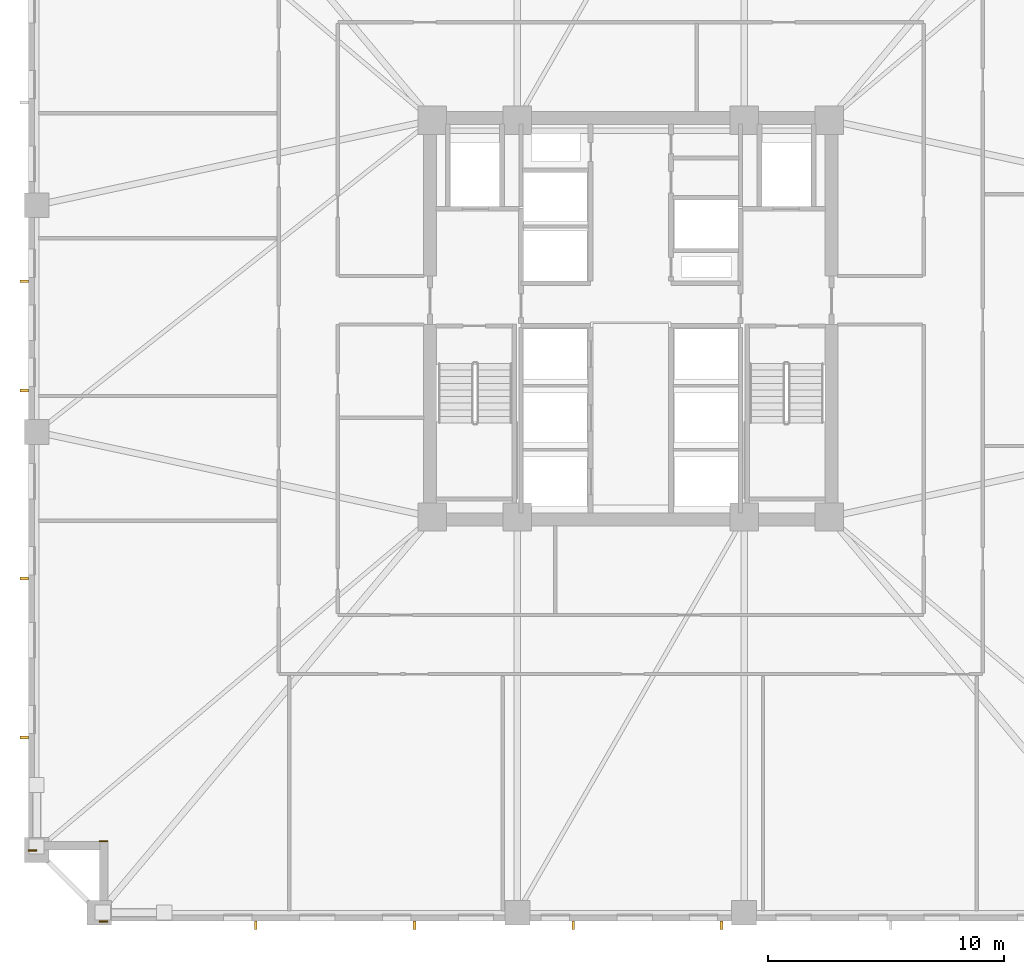
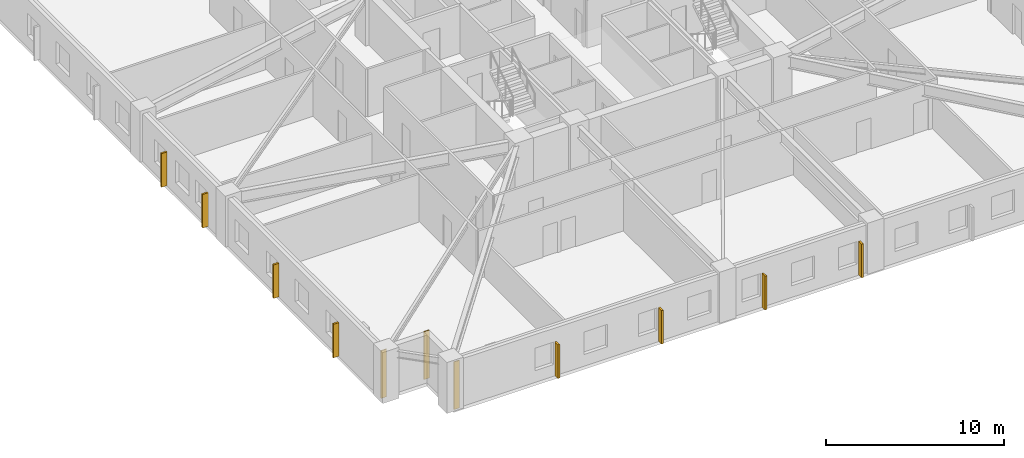
# One storey, part 7 of 11: 8 shading devices, 3 coverings.
"""IFC4 building model written with IfcOpenShell, lengths in metres."""

from ifc_helpers import new_model, si_unit, direction, frame, frame_2d, origin, origin_2d, place, context, subcontext, project, spatial, rectangle, extrude, material, layer, layer_set, type_object, element, save


model = new_model("IFC4")

# Units and contexts
model_context = context("Model", 3, precision=1e-05, world=origin(), true_north=direction((0.0, 1.0)))
body_context = subcontext(model_context, "Body", "Model", "MODEL_VIEW")
ifc_project = project(units=[si_unit("LENGTHUNIT", "METRE"), si_unit("AREAUNIT", "SQUARE_METRE"), si_unit("VOLUMEUNIT", "CUBIC_METRE"), si_unit("PLANEANGLEUNIT", "RADIAN"), si_unit("MASSUNIT", "GRAM", prefix="KILO")], contexts=[model_context])

# Site, building, storey
site_placement = place(None, origin())
site = spatial("IfcSite", under=ifc_project, at=site_placement, CompositionType="ELEMENT")
building_placement = place(site_placement, origin())
building = spatial("IfcBuilding", under=site, at=building_placement, Name="Cairnveth Concourse Tower", CompositionType="ELEMENT")
storey_placement = place(building_placement, frame((0.0, 0.0, 55.0)))
storey = spatial("IfcBuildingStorey", under=building, at=storey_placement, Name="L14", CompositionType="ELEMENT", Elevation=55.0)

# Coverings
ifc_material_1 = material(Name="Dressed Melbourne Bluestone Cladding", Category="masonry")
ifc_layer = layer(ifc_material_1, 0.050048828125)
ifc_layer_set = layer_set([ifc_layer], Name="Dressed Melbourne Bluestone Cladding")
covering_type = type_object("IfcCoveringType", Name="DRESSED BLUESTONE PLINTH CLADDING 50", PredefinedType="CLADDING", material=ifc_layer_set)
for number, where, z_axis, x_axis, name in (
    (1, (29.860107421875, 13.47998046875, 0.0), (0.0, 0.0, 1.0), (-1.0, 0.0, 0.0), "Melbourne Bluestone Corner Quoin L14-171"),
    (2, (29.860107421875, 16.8798828125, 0.0), (0.0, 0.0, 1.0), (-1.0, 0.0, 0.0), "Melbourne Bluestone Corner Quoin L14-172"),
    (3, (26.860107421875, 16.47998046875, 0.0), (0.0, 0.0, 1.0), (-1.0, 0.0, 0.0), "Melbourne Bluestone Corner Quoin L14-173"),
):
    element("IfcCovering", number, at=place(storey_placement, frame(where, z_axis=z_axis, x_axis=x_axis)), inside=storey, type_object=covering_type, Name=name, PredefinedType="CLADDING", context=body_context, shape_type="SweptSolid", body=[
        extrude(rectangle(XDim=0.360107421875, YDim=0.050048828125, at=frame_2d((0.18017578125, 0.0))), origin(), (0.0, 0.0, 1.0), 3.280029296875),
    ])

# Shading devices
ifc_material_2 = material(Name="Architectural Bronze Anodised Aluminium 6063-T6", Category="aluminium")
shading_device_type = type_object("IfcShadingDeviceType", Name="GOTHIC BRONZE VERTICAL LANCET FIN", PredefinedType="USERDEFINED", material=ifc_material_2)
for number, where, z_axis, x_axis, name in (
    (4, (55.839111328125, 13.324951171875, 0.02978515625), (0.0, 0.0, 1.0), (1.0, 0.0, 0.0), "Gothic Bronze Vertical Fin L14-3-5"),
    (5, (49.56884765625, 13.324951171875, 0.02978515625), (0.0, 0.0, 1.0), (1.0, 0.0, 0.0), "Gothic Bronze Vertical Fin L14-3-7"),
    (6, (42.848388671875, 13.324951171875, 0.02978515625), (0.0, 0.0, 1.0), (1.0, 0.0, 0.0), "Gothic Bronze Vertical Fin L14-3-9"),
    (7, (36.128173828125, 13.324951171875, 0.02978515625), (0.0, 0.0, 1.0), (1.0, 0.0, 0.0), "Gothic Bronze Vertical Fin L14-3-11"),
    (8, (26.324951171875, 21.27001953125, 0.02978515625), (0.0, 0.0, 1.0), (0.0, 1.0, 0.0), "Gothic Bronze Vertical Fin L14-6-1"),
    (9, (26.324951171875, 27.990478515625, 0.02978515625), (0.0, 0.0, 1.0), (0.0, 1.0, 0.0), "Gothic Bronze Vertical Fin L14-6-3"),
    (10, (26.324951171875, 35.960693359375, 0.02978515625), (0.0, 0.0, 1.0), (0.0, 1.0, 0.0), "Gothic Bronze Vertical Fin L14-6-5"),
    (11, (26.324951171875, 40.581298828125, 0.02978515625), (0.0, 0.0, 1.0), (0.0, 1.0, 0.0), "Gothic Bronze Vertical Fin L14-6-7"),
):
    element("IfcShadingDevice", number, at=place(storey_placement, frame(where, z_axis=z_axis, x_axis=x_axis)), inside=storey, type_object=shading_device_type, Name=name, ObjectType="VERTICAL FIN", PredefinedType="USERDEFINED", context=body_context, shape_type="SweptSolid", body=[
        extrude(rectangle(XDim=0.1201171875, YDim=0.360107421875, at=origin_2d()), origin(), (0.0, 0.0, 1.0), 2.303955078125),
    ])

save(model, "model.ifc")
